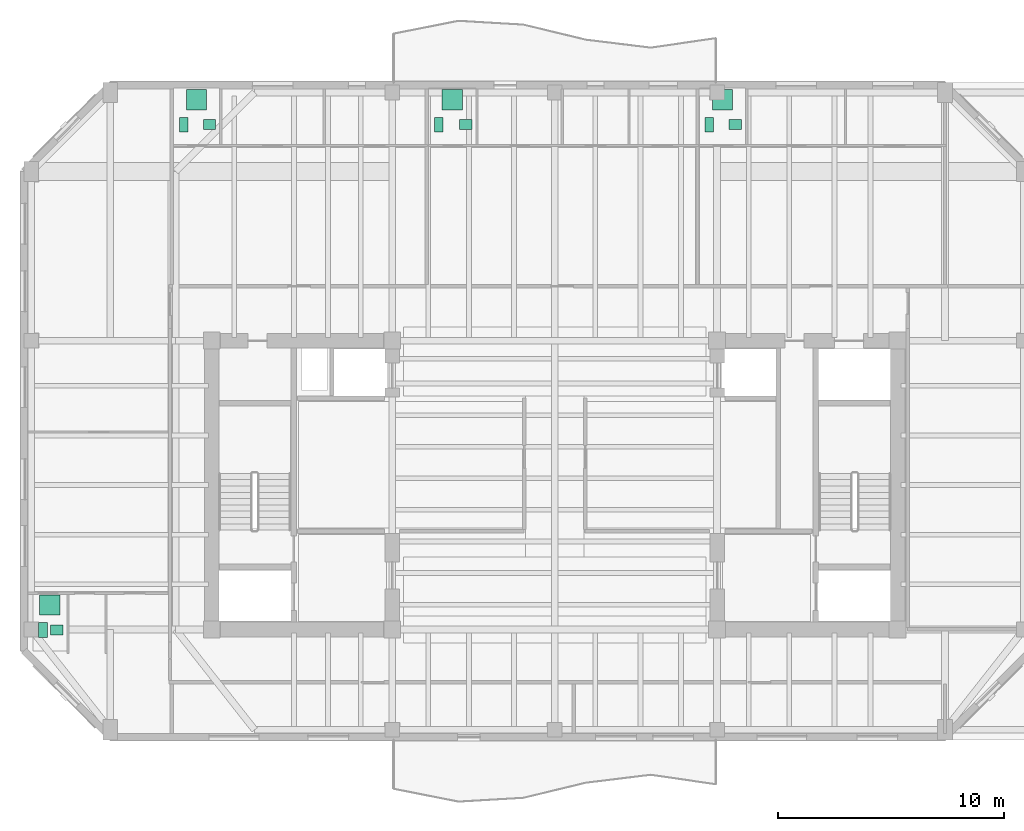
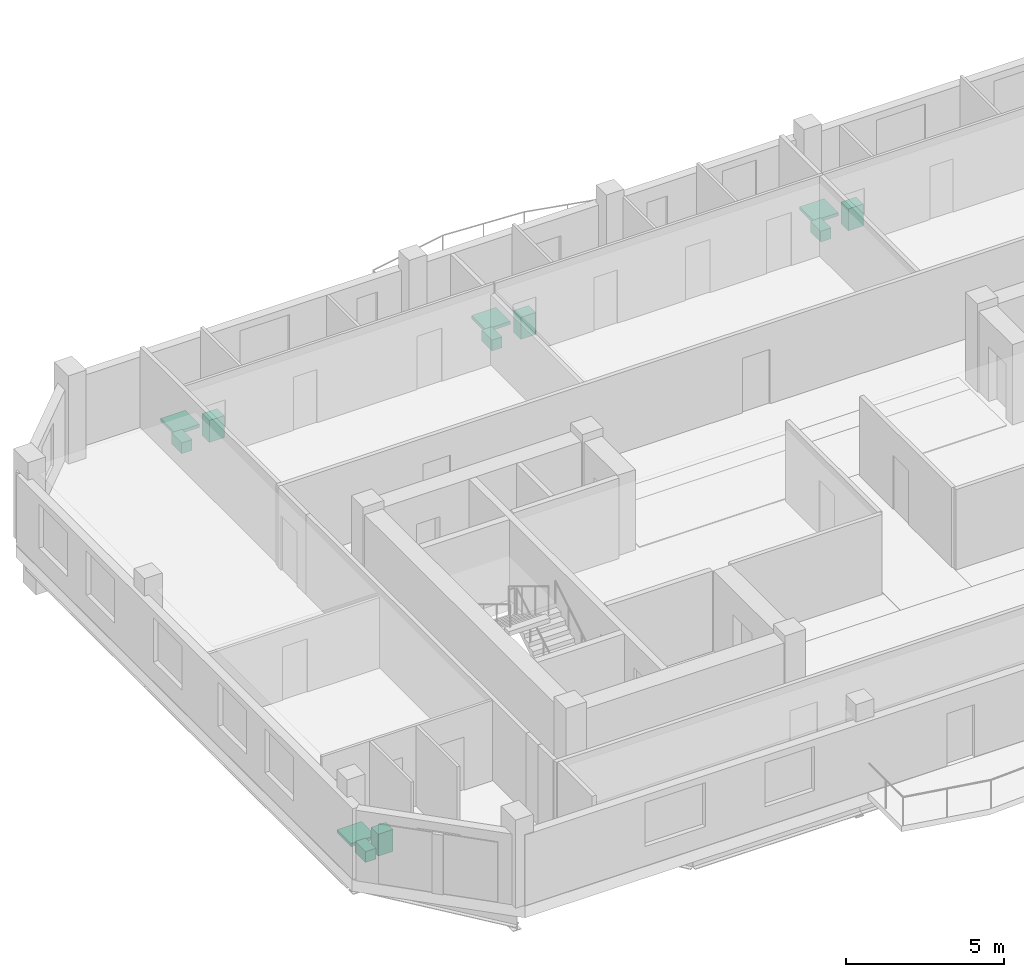
# One storey, part 10 of 10: 12 sanitary terminals.
"""IFC4 building model written with IfcOpenShell, lengths in metres."""

from ifc_helpers import new_model, si_unit, direction, frame, origin, origin_2d, place, context, subcontext, project, spatial, rectangle, extrude, material, type_object, element, save


model = new_model("IFC4")

# Units and contexts
model_context = context("Model", 3, precision=1e-05, world=origin(), true_north=direction((0.0, 1.0)))
body_context = subcontext(model_context, "Body", "Model", "MODEL_VIEW")
ifc_project = project(units=[si_unit("LENGTHUNIT", "METRE"), si_unit("AREAUNIT", "SQUARE_METRE"), si_unit("VOLUMEUNIT", "CUBIC_METRE"), si_unit("PLANEANGLEUNIT", "RADIAN"), si_unit("MASSUNIT", "GRAM", prefix="KILO")], contexts=[model_context])

# Site, building, storey
site_placement = place(None, origin())
site = spatial("IfcSite", under=ifc_project, at=site_placement, CompositionType="ELEMENT")
building_placement = place(site_placement, origin())
building = spatial("IfcBuilding", under=site, at=building_placement, Name="Kranthara Brick Stack", CompositionType="ELEMENT")
storey_placement = place(building_placement, frame((0.0, 0.0, 268.699951171875)))
storey = spatial("IfcBuildingStorey", under=building, at=storey_placement, Name="L71", CompositionType="ELEMENT", Elevation=268.699951171875)

# Sanitary terminals
ifc_material_1 = material(Name="Vitreous china sanitary porcelain", Category="other")
sanitary_terminal_type_1 = type_object("IfcSanitaryTerminalType", Name="SAN-BASIN", PredefinedType="WASHHANDBASIN", material=ifc_material_1)
for number, where, z_axis, x_axis, name in (
    (1, (12.699951171875, 43.175048828125, 0.0), (0.0, 0.0, 1.0), (1.0, 0.0, 0.0), "L71 Washbasin 369"),
    (2, (24.06201171875, 43.175048828125, 0.0), (0.0, 0.0, 1.0), (1.0, 0.0, 0.0), "L71 Washbasin 370"),
    (3, (36.010009765625, 43.175048828125, 0.0), (0.0, 0.0, 1.0), (1.0, 0.0, 0.0), "L71 Washbasin 371"),
    (4, (5.925048828125, 20.77490234375, 0.0), (0.0, 0.0, 1.0), (1.0, 0.0, 0.0), "L71 Washbasin 372"),
):
    element("IfcSanitaryTerminal", number, at=place(storey_placement, frame(where, z_axis=z_axis, x_axis=x_axis)), inside=storey, type_object=sanitary_terminal_type_1, Name=name, PredefinedType="WASHHANDBASIN", context=body_context, shape_type="SweptSolid", body=[
        extrude(rectangle(XDim=0.550048828125, YDim=0.449951171875, at=origin_2d()), origin(), (0.0, 0.0, 1.0), 0.85009765625),
    ])
ifc_material_2 = material(Name="Acrylic and porcelain shower tray", Category="other")
sanitary_terminal_type_2 = type_object("IfcSanitaryTerminalType", Name="SAN-SHOWER", PredefinedType="SHOWER", material=ifc_material_2)
for number, where, z_axis, x_axis, name in (
    (5, (12.125, 44.280029296875, 0.0), (0.0, 0.0, 1.0), (1.0, 0.0, 0.0), "L71 Shower Tray 369"),
    (6, (23.4619140625, 44.280029296875, 0.0), (0.0, 0.0, 1.0), (1.0, 0.0, 0.0), "L71 Shower Tray 370"),
    (7, (35.43505859375, 44.280029296875, 0.0), (0.0, 0.0, 1.0), (1.0, 0.0, 0.0), "L71 Shower Tray 371"),
    (8, (5.623046875, 21.8798828125, 0.0), (0.0, 0.0, 1.0), (1.0, 0.0, 0.0), "L71 Shower Tray 372"),
):
    element("IfcSanitaryTerminal", number, at=place(storey_placement, frame(where, z_axis=z_axis, x_axis=x_axis)), inside=storey, type_object=sanitary_terminal_type_2, Name=name, PredefinedType="SHOWER", context=body_context, shape_type="SweptSolid", body=[
        extrude(rectangle(XDim=0.89990234375, YDim=0.89990234375, at=origin_2d()), origin(), (0.0, 0.0, 1.0), 0.1201171875),
    ])
ifc_material_3 = material(Name="Vitreous china sanitary porcelain", Category="other")
sanitary_terminal_type_3 = type_object("IfcSanitaryTerminalType", Name="SAN-WC-PAN", PredefinedType="TOILETPAN", material=ifc_material_3)
for number, where, z_axis, x_axis, name in (
    (9, (11.550048828125, 43.175048828125, 0.0), (0.0, 0.0, 1.0), (1.0, 0.0, 0.0), "L71 WC Pan 369"),
    (10, (22.862060546875, 43.175048828125, 0.0), (0.0, 0.0, 1.0), (1.0, 0.0, 0.0), "L71 WC Pan 370"),
    (11, (34.860107421875, 43.175048828125, 0.0), (0.0, 0.0, 1.0), (1.0, 0.0, 0.0), "L71 WC Pan 371"),
    (12, (5.320068359375, 20.77490234375, 0.0), (0.0, 0.0, 1.0), (1.0, 0.0, 0.0), "L71 WC Pan 372"),
):
    element("IfcSanitaryTerminal", number, at=place(storey_placement, frame(where, z_axis=z_axis, x_axis=x_axis)), inside=storey, type_object=sanitary_terminal_type_3, Name=name, PredefinedType="TOILETPAN", context=body_context, shape_type="SweptSolid", body=[
        extrude(rectangle(XDim=0.3798828125, YDim=0.64990234375, at=origin_2d()), origin(), (0.0, 0.0, 1.0), 0.419921875),
    ])

save(model, "model.ifc")
